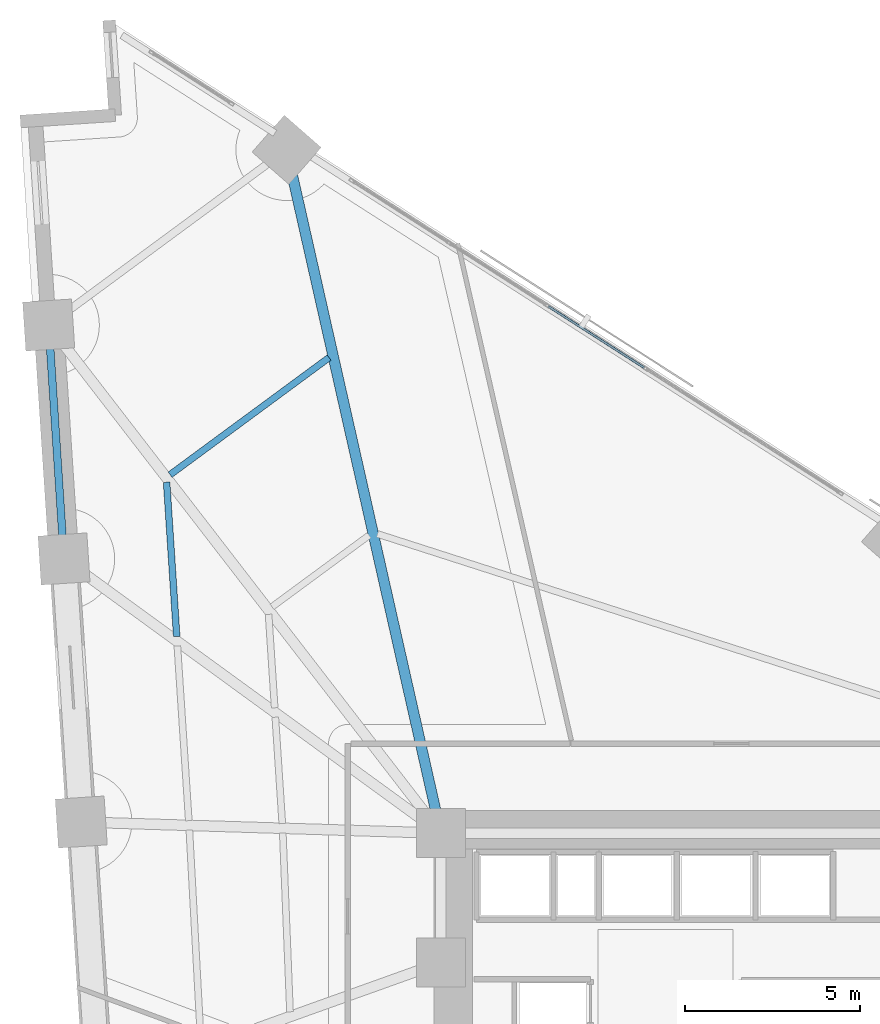
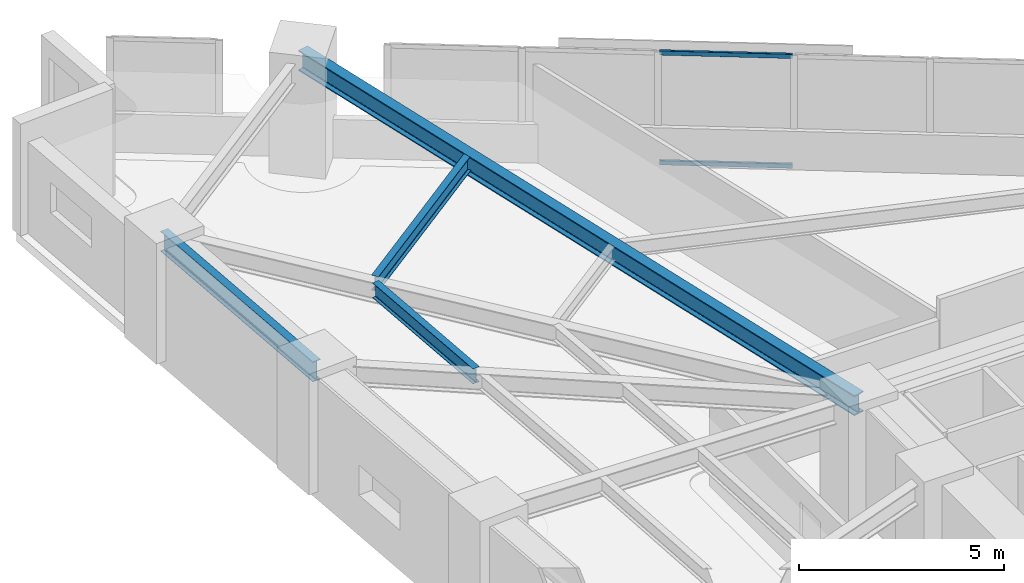
# One storey, part 7 of 15: 4 beams, 2 members, 1 element without a shape of its own.
"""IFC4 building model written with IfcOpenShell, lengths in metres."""

from ifc_helpers import new_model, si_unit, direction, frame, origin, origin_2d, place, context, subcontext, project, spatial, hollow_rectangle, i_section, extrude, material, material_profile, profile_set, type_object, element, aggregate, save


model = new_model("IFC4")

# Units and contexts
model_context = context("Model", 3, precision=1e-05, world=origin(), true_north=direction((0.0, 1.0)))
body_context = subcontext(model_context, "Body", "Model", "MODEL_VIEW")
ifc_project = project(units=[si_unit("LENGTHUNIT", "METRE"), si_unit("AREAUNIT", "SQUARE_METRE"), si_unit("VOLUMEUNIT", "CUBIC_METRE"), si_unit("PLANEANGLEUNIT", "RADIAN"), si_unit("MASSUNIT", "GRAM", prefix="KILO")], contexts=[model_context])

# Site, building, storey
site_placement = place(None, origin())
site = spatial("IfcSite", under=ifc_project, at=site_placement, CompositionType="ELEMENT")
building_placement = place(site_placement, origin())
building = spatial("IfcBuilding", under=site, at=building_placement, Name="Narakoshi Arena Tower", CompositionType="ELEMENT")
storey_placement = place(building_placement, frame((0.0, 0.0, 70.5)))
storey = spatial("IfcBuildingStorey", under=building, at=storey_placement, Name="L18", CompositionType="ELEMENT", Elevation=70.5)

# Beams
ifc_material_1 = material(Name="Structural steel S355J2", Category="steel")
ifc_material_profile_1 = material_profile(ifc_material_1, i_section(OverallWidth=0.219970703125, OverallDepth=0.60009765625, WebThickness=0.011962890625, FlangeThickness=0.01904296875, FilletRadius=0.02392578125, at=origin_2d()), Name="IPE600")
ifc_profile_set_1 = profile_set([ifc_material_profile_1], Name="Structural steel S355J2")
beam_type_1 = type_object("IfcBeamType", Name="BM-EDGE-600", PredefinedType="BEAM", material=ifc_profile_set_1)
beam_1_placement = place(storey_placement, frame((60.785400390625, 71.031005859375, 3.0400390625), z_axis=(0.065421350693, -0.997857728774, 0.0), x_axis=(0.997857728774, 0.065421350693, 0.0)))
element("IfcBeam", 1, at=beam_1_placement, inside=storey, type_object=beam_type_1, Name="L18 Perimeter Edge Girder 12", PredefinedType="BEAM", context=body_context, shape_type="SweptSolid", body=[
    extrude(i_section(OverallWidth=0.219970703125, OverallDepth=0.60009765625, WebThickness=0.011962890625, FlangeThickness=0.01904296875, FilletRadius=0.02392578125, at=origin_2d()), origin(), (0.0, 0.0, 1.0), 6.702392578125),
])
ifc_material_profile_2 = material_profile(ifc_material_1, i_section(OverallWidth=0.300048828125, OverallDepth=0.60009765625, WebThickness=0.015380859375, FlangeThickness=0.030029296875, FilletRadius=0.027099609375, at=origin_2d()), Name="HE600B")
ifc_profile_set_2 = profile_set([ifc_material_profile_2], Name="Structural steel S355J2")
beam_type_2 = type_object("IfcBeamType", Name="BM-PRI-600", PredefinedType="BEAM", material=ifc_profile_set_2)
beam_2_placement = place(storey_placement, frame((72.0, 56.5, 3.0400390625), z_axis=(-0.220123978285, 0.975471903329, 0.0), x_axis=(-0.975471903329, -0.220123978285, 0.0)))
element("IfcBeam", 2, at=beam_2_placement, inside=storey, type_object=beam_type_2, Name="L18 Radial Primary Floor Girder 11", PredefinedType="BEAM", context=body_context, shape_type="SweptSolid", body=[
    extrude(i_section(OverallWidth=0.300048828125, OverallDepth=0.60009765625, WebThickness=0.015380859375, FlangeThickness=0.030029296875, FilletRadius=0.027099609375, at=origin_2d()), origin(), (0.0, 0.0, 1.0), 20.034912109375),
])
ifc_material_profile_3 = material_profile(ifc_material_1, i_section(OverallWidth=0.18994140625, OverallDepth=0.449951171875, WebThickness=0.009521484375, FlangeThickness=0.0146484375, FilletRadius=0.02099609375, at=origin_2d()), Name="IPE450")
ifc_profile_set_3 = profile_set([ifc_material_profile_3], Name="Structural steel S355J2")
beam_type_3 = type_object("IfcBeamType", Name="BM-SEC-450", PredefinedType="JOIST", material=ifc_profile_set_3)
beam_3_placement = place(storey_placement, frame((68.80419921875, 70.100341796875, 3.114990234375), z_axis=(-0.805123218291, -0.593107581615, 0.0), x_axis=(0.593107581615, -0.805123218291, 0.0)))
element("IfcBeam", 3, at=beam_3_placement, inside=storey, type_object=beam_type_3, Name="L18 Composite Secondary Floor Joist 05", PredefinedType="JOIST", context=body_context, shape_type="SweptSolid", body=[
    extrude(i_section(OverallWidth=0.18994140625, OverallDepth=0.449951171875, WebThickness=0.009521484375, FlangeThickness=0.0146484375, FilletRadius=0.02099609375, at=origin_2d()), origin(), (0.0, 0.0, 1.0), 5.64599609375),
])
beam_4_placement = place(storey_placement, frame((64.15869140625, 66.536865234375, 3.114990234375), z_axis=(0.065375559108, -0.997860729897, 0.0), x_axis=(0.997860729897, 0.065375559108, 0.0)))
element("IfcBeam", 4, at=beam_4_placement, inside=storey, type_object=beam_type_3, Name="L18 Composite Secondary Floor Joist 07", PredefinedType="JOIST", context=body_context, shape_type="SweptSolid", body=[
    extrude(i_section(OverallWidth=0.18994140625, OverallDepth=0.449951171875, WebThickness=0.009521484375, FlangeThickness=0.0146484375, FilletRadius=0.02099609375, at=origin_2d()), origin(), (0.0, 0.0, 1.0), 4.421630859375),
])

# Curtain wall, members
ifc_material_2 = material(Name="Anodised bronze aluminium 6063-T6", Category="aluminium")
curtain_wall_type = type_object("IfcCurtainWallType", Name="CW-HYP-LOW", PredefinedType="NOTDEFINED", material=ifc_material_2)
curtain_wall_placement = place(storey_placement, origin())
curtain_wall = element("IfcCurtainWall", 5, at=curtain_wall_placement, inside=storey, type_object=curtain_wall_type, Name="L18 Folded Hypotenuse Curtain Wall 2-2", PredefinedType="NOTDEFINED")
ifc_material_profile_4 = material_profile(ifc_material_2, hollow_rectangle(XDim=0.06494140625, YDim=0.1298828125, WallThickness=0.00390625, OuterFilletRadius=0.0048828125, at=origin_2d()), Name="TRN130x65x4")
ifc_profile_set_4 = profile_set([ifc_material_profile_4], Name="Anodised bronze aluminium 6063-T6")
member_type = type_object("IfcMemberType", Name="MEM-TRN-130", PredefinedType="USERDEFINED", material=ifc_profile_set_4)
member_1_placement = place(storey_placement, frame((77.81201171875, 69.813720703125, 0.032470703125), z_axis=(-0.842407668774, 0.5388407182, 0.0), x_axis=(-0.5388407182, -0.842407668774, 0.0)))
member_1 = element("IfcMember", 6, at=member_1_placement, type_object=member_type, Name="CW-01 transom 3.1", ObjectType="TRANSOM", PredefinedType="USERDEFINED", context=body_context, shape_type="SweptSolid", body=[
    extrude(hollow_rectangle(XDim=0.06494140625, YDim=0.1298828125, WallThickness=0.00390625, OuterFilletRadius=0.0048828125, at=origin_2d()), origin(), (0.0, 0.0, 1.0), 3.253173828125),
])
member_2_placement = place(storey_placement, frame((77.81201171875, 69.813720703125, 3.3076171875), z_axis=(-0.842407668774, 0.5388407182, 0.0), x_axis=(-0.5388407182, -0.842407668774, 0.0)))
member_2 = element("IfcMember", 7, at=member_2_placement, type_object=member_type, Name="CW-01 transom 3.2", ObjectType="TRANSOM", PredefinedType="USERDEFINED", context=body_context, shape_type="SweptSolid", body=[
    extrude(hollow_rectangle(XDim=0.06494140625, YDim=0.1298828125, WallThickness=0.00390625, OuterFilletRadius=0.0048828125, at=origin_2d()), origin(), (0.0, 0.0, 1.0), 3.253173828125),
])
aggregate(curtain_wall, [member_1, member_2])

save(model, "model.ifc")
